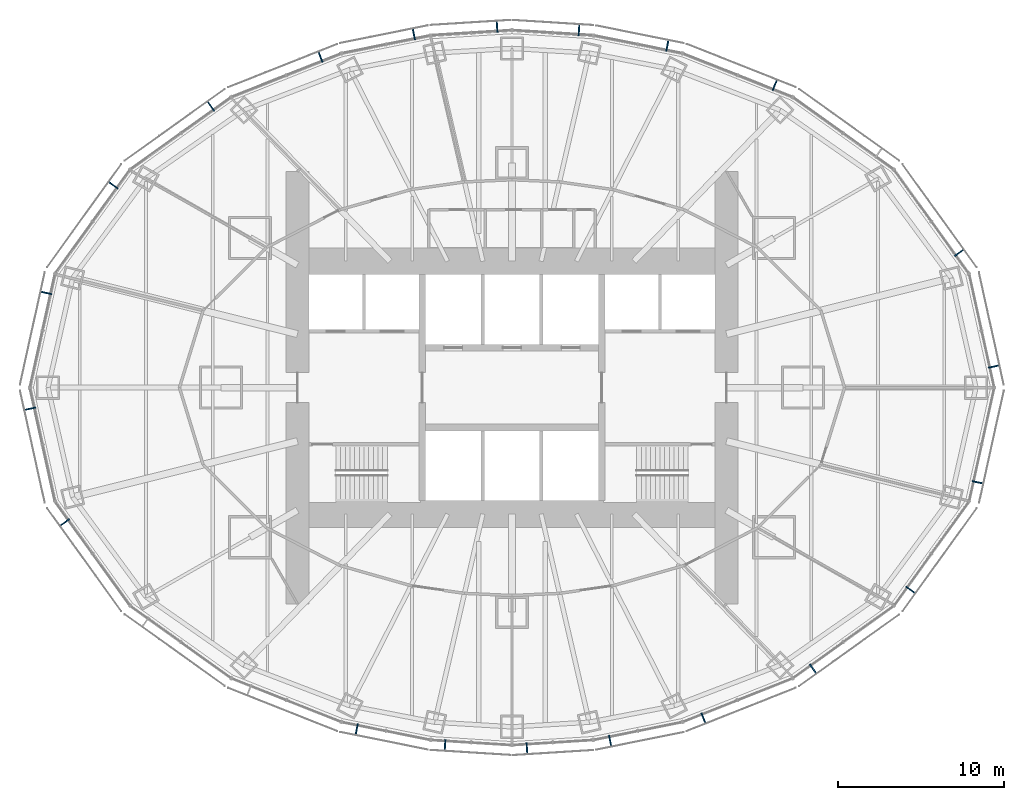
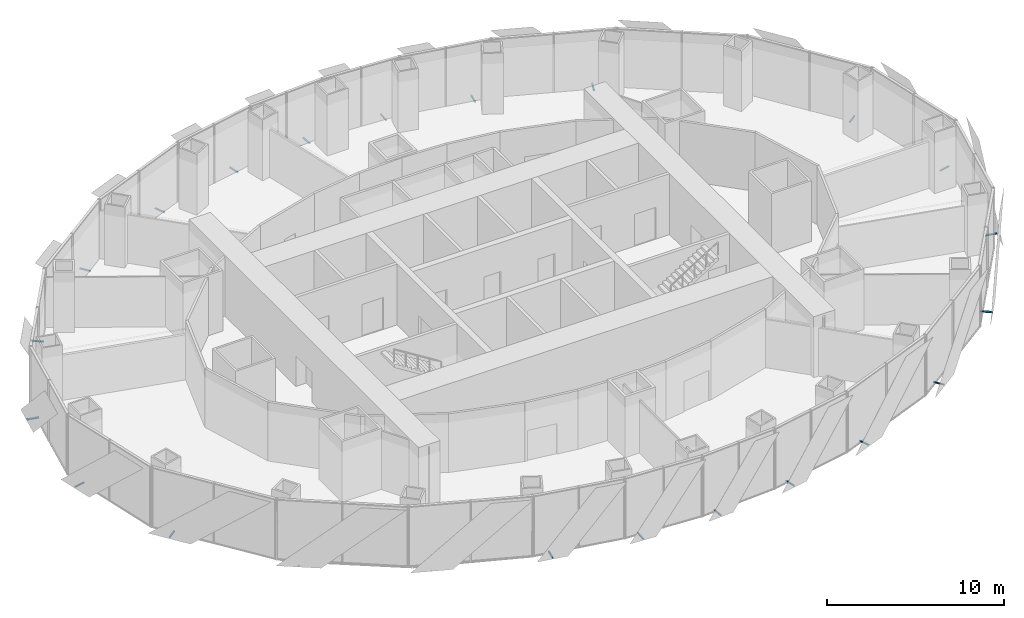
# One storey, part 14 of 18: 21 discrete accessories.
"""IFC4 building model written with IfcOpenShell, lengths in metres."""

import ifcopenshell
import ifcopenshell.guid

model = None  # the IFC model being written
_history = None  # IfcOwnerHistory: only IFC2X3 demands one
_inside = {}  # id of a spatial element -> (the spatial element, [elements in it])
_under = {}  # id of a project, library or spatial element -> (it, [spatial elements below it])
_declared = {}  # id of a project -> (the project, [libraries it declares])
_typed = {}  # id of a type object -> (the type object, [elements of that type])
_made_of = {}  # id of a material, layer set ... -> (it, [elements and type objects made of it])


def new_model(schema):
    """Start an empty IFC model of exactly this schema.

    Asked for "IFC4X3", IfcOpenShell would pick the latest addendum, in which some entities
    have other attributes; the version numbers below select the first issue.
    IFC2X3 requires an IfcOwnerHistory on every rooted entity: one is made here for all.
    """
    global model, _history
    if schema == "IFC4X3":
        model = ifcopenshell.file(schema_version=(4, 3, 0, 0))
    else:
        model = ifcopenshell.file(schema=schema)
    _inside.clear()
    _under.clear()
    _declared.clear()
    _typed.clear()
    _made_of.clear()
    _history = None
    if model.schema == "IFC2X3":
        org = make("IfcOrganization", Name="unknown")
        user = make(
            "IfcPersonAndOrganization",
            ThePerson=make("IfcPerson", FamilyName="unknown"),
            TheOrganization=org,
        )
        app = make(
            "IfcApplication",
            ApplicationDeveloper=org,
            Version="unknown",
            ApplicationFullName="unknown",
            ApplicationIdentifier="unknown",
        )
        _history = make(
            "IfcOwnerHistory",
            OwningUser=user,
            OwningApplication=app,
            ChangeAction="ADDED",
            CreationDate=0,
        )
    return model


def make(cls, **values):
    """One entity of the class cls with the attributes given. An attribute that is None is left unset."""
    return model.create_entity(
        cls, **{name: value for name, value in values.items() if value is not None}
    )


def rooted(cls, **values):
    """An entity with a GlobalId (a new one), such as an element, a storey or a relation."""
    return make(cls, GlobalId=ifcopenshell.guid.new(), OwnerHistory=_history, **values)


def si_unit(unit_type, name, prefix=None):
    """IfcSIUnit, for example si_unit("LENGTHUNIT", "METRE", prefix="MILLI")."""
    return make("IfcSIUnit", UnitType=unit_type, Prefix=prefix, Name=name)


def assignment(units):
    """IfcUnitAssignment: the units of a project."""
    return None if units is None else make("IfcUnitAssignment", Units=units)


def point(xyz):
    """IfcCartesianPoint."""
    return None if xyz is None else make("IfcCartesianPoint", Coordinates=xyz)


def direction(xyz):
    """IfcDirection."""
    return None if xyz is None else make("IfcDirection", DirectionRatios=xyz)


def frame(location, z_axis=None, x_axis=None):
    """IfcAxis2Placement3D, a coordinate frame: its origin and axes. An axis left out is left unset."""
    return make(
        "IfcAxis2Placement3D",
        Location=point(location),
        Axis=direction(z_axis),
        RefDirection=direction(x_axis),
    )


def frame_2d(location, x_axis=None):
    """IfcAxis2Placement2D, a coordinate frame in the plane: its origin and x axis."""
    return make(
        "IfcAxis2Placement2D", Location=point(location), RefDirection=direction(x_axis)
    )


def origin():
    """The frame at (0, 0, 0) with its axes left unset."""
    return frame((0.0, 0.0, 0.0))


def origin_2d():
    """The frame at (0, 0) in the plane with its x axis left unset."""
    return frame_2d((0.0, 0.0))


def place(relative_to, where):
    """IfcLocalPlacement: puts the frame where relative to a parent placement (None: the world)."""
    return make(
        "IfcLocalPlacement", PlacementRelTo=relative_to, RelativePlacement=where
    )


def context(
    kind, dimensions, precision=None, world=None, true_north=None, identifier=None
):
    """IfcGeometricRepresentationContext, for example the 3D "Model" context."""
    return make(
        "IfcGeometricRepresentationContext",
        ContextIdentifier=identifier,
        ContextType=kind,
        CoordinateSpaceDimension=dimensions,
        Precision=precision,
        WorldCoordinateSystem=world,
        TrueNorth=true_north,
    )


def subcontext(parent, identifier, kind, view, scale=None):
    """IfcGeometricRepresentationSubContext, for example "Body" below "Model"."""
    return make(
        "IfcGeometricRepresentationSubContext",
        ContextIdentifier=identifier,
        ContextType=kind,
        ParentContext=parent,
        TargetScale=scale,
        TargetView=view,
    )


def project(units=None, contexts=None):
    """IfcProject with its units and contexts."""
    return rooted(
        "IfcProject",
        Name="project",
        RepresentationContexts=contexts,
        UnitsInContext=assignment(units),
    )


def spatial(cls, under=None, at=None, **own):
    """A site, building, storey or space (cls), placed at a placement, below another one or the project."""
    s = rooted(cls, ObjectPlacement=at, **own)
    if under is not None:
        _under.setdefault(under.id(), (under, []))[1].append(s)
    return s


def profile(cls, at=None, kind="AREA", **sizes):
    """A parametric profile (cls). Its sizes go by their IFC names, for example OverallWidth=200.0."""
    return make(cls, ProfileType=kind, Position=at, **sizes)


def rectangle(**sizes):
    """IfcRectangleProfileDef."""
    return profile("IfcRectangleProfileDef", **sizes)


def extrude(swept, where, along, depth):
    """IfcExtrudedAreaSolid: the profile swept, set in the frame where, extruded along a direction by depth."""
    return make(
        "IfcExtrudedAreaSolid",
        SweptArea=swept,
        Position=where,
        ExtrudedDirection=direction(along),
        Depth=depth,
    )


def shape(context_of_items, identifier, shape_type, items):
    """IfcShapeRepresentation: the items that make up one representation, for example the "Body"."""
    return make(
        "IfcShapeRepresentation",
        ContextOfItems=context_of_items,
        RepresentationIdentifier=identifier,
        RepresentationType=shape_type,
        Items=items,
    )


def made_of(thing, what):
    """Note that an element or type object is made of a material, layer set ...; save() writes the relation."""
    if what is not None:
        _made_of.setdefault(what.id(), (what, []))[1].append(thing)
    return thing


def element(
    cls,
    number,
    at=None,
    inside=None,
    cuts=None,
    type_object=None,
    material=None,
    context=None,
    identifier="Body",
    shape_type=None,
    held_by="IfcProductDefinitionShape",
    body=None,
    shapes=None,
    **own,
):
    """One element of the class cls, such as IfcWall. Its Tag is "e" and its number.

    at: its placement. inside: the storey or other place that contains it. cuts: it is an
    opening in that element (IfcRelVoidsElement). A single representation is given by context,
    identifier, shape_type and body (its items); several are given by shapes. held_by: the class
    of the entity that holds the representations. save() writes the other relations.
    """
    e = rooted(cls, Tag="e%d" % number, ObjectPlacement=at, **own)
    if body is not None:
        shapes = [shape(context, identifier, shape_type, body)]
    if shapes is not None:
        e.Representation = make(held_by, Representations=shapes)
    if inside is not None:
        _inside.setdefault(inside.id(), (inside, []))[1].append(e)
    if cuts is not None:
        rooted(
            "IfcRelVoidsElement", RelatingBuildingElement=cuts, RelatedOpeningElement=e
        )
    if type_object is not None:
        _typed.setdefault(type_object.id(), (type_object, []))[1].append(e)
    return made_of(e, material)


def aggregate(whole, parts):
    """IfcRelAggregates: a whole, such as a stair, and the parts it consists of."""
    return rooted("IfcRelAggregates", RelatingObject=whole, RelatedObjects=parts)


def save(model, path):
    """Write the relations noted so far, then the file.

    IfcRelAggregates (storeys below a building ...), IfcRelContainedInSpatialStructure (elements
    in a storey), IfcRelDefinesByType, IfcRelAssociatesMaterial and IfcRelDeclares: one each for
    every whole, place, type object, material and project.
    """
    for whole, parts in _under.values():
        aggregate(whole, parts)
    for where, things in _inside.values():
        rooted(
            "IfcRelContainedInSpatialStructure",
            RelatedElements=things,
            RelatingStructure=where,
        )
    for kind, things in _typed.values():
        rooted("IfcRelDefinesByType", RelatedObjects=things, RelatingType=kind)
    for what, things in _made_of.values():
        rooted("IfcRelAssociatesMaterial", RelatedObjects=things, RelatingMaterial=what)
    for by, libraries in _declared.values():
        rooted("IfcRelDeclares", RelatingContext=by, RelatedDefinitions=libraries)
    model.write(path)


model = new_model("IFC4")

# Units and contexts
model_context = context("Model", 3, precision=1e-05, world=origin(), true_north=direction((0.0, 1.0)))
body_context = subcontext(model_context, "Body", "Model", "MODEL_VIEW")
ifc_project = project(units=[si_unit("LENGTHUNIT", "METRE"), si_unit("AREAUNIT", "SQUARE_METRE"), si_unit("VOLUMEUNIT", "CUBIC_METRE"), si_unit("PLANEANGLEUNIT", "RADIAN"), si_unit("MASSUNIT", "GRAM", prefix="KILO")], contexts=[model_context])

# Site, building, storey
site_placement = place(None, origin())
site = spatial("IfcSite", under=ifc_project, at=site_placement, CompositionType="ELEMENT")
building_placement = place(site_placement, origin())
building = spatial("IfcBuilding", under=site, at=building_placement, Name="Lantaw Convention Tower", CompositionType="ELEMENT")
storey_placement = place(building_placement, frame((0.0, 0.0, 130.0)))
storey = spatial("IfcBuildingStorey", under=building, at=storey_placement, Name="L30", CompositionType="ELEMENT", Elevation=130.0)

# Discrete accessories
for number, where, z_axis, x_axis, name in (
    (1, (28.98486328125, 1.269775390625, -0.114990234375), (0.0, 0.0, 1.0), (-0.215546166174, 0.9764936509, 0.0), "Screen bracket"),
    (2, (26.900146484375, 8.111572265625, -0.114990234375), (0.0, 0.0, 1.0), (-0.584512597221, 0.811384633629, 0.0), "Screen bracket"),
    (3, (15.802978515625, 18.18798828125, -0.114990234375), (0.0, 0.0, 1.0), (-0.929547687544, 0.368701907483, 0.0), "Screen bracket"),
    (4, (9.339599609375, 20.56005859375, -0.114990234375), (0.0, 0.0, 1.0), (-0.980301514912, 0.197506809659, 0.0), "Screen bracket"),
    (5, (4.027099609375, 21.505859375, -0.114990234375), (0.0, 0.0, 1.0), (-0.998022035978, 0.062865059466, 0.0), "Screen bracket"),
    (6, (-0.89794921875, 21.702880859375, -0.114990234375), (0.0, 0.0, 1.0), (-0.998022035978, -0.062865059466, 0.0), "Screen bracket"),
    (7, (-5.903076171875, 21.25244140625, -0.114990234375), (0.0, 0.0, 1.0), (-0.980301514912, -0.197506809659, 0.0), "Screen bracket"),
    (8, (-11.517822265625, 19.887939453125, -0.114990234375), (0.0, 0.0, 1.0), (-0.929547687544, -0.368701907483, 0.0), "Screen bracket"),
    (9, (-18.10791015625, 16.922607421875, -0.114990234375), (0.0, 0.0, 1.0), (-0.813208325995, -0.581972695693, 0.0), "Screen bracket"),
    (10, (-23.9765625, 12.169677734375, -0.114990234375), (0.0, 0.0, 1.0), (-0.584512597221, -0.811384633629, 0.0), "Screen bracket"),
    (11, (-28.008056640625, 5.6953125, -0.114990234375), (0.0, 0.0, 1.0), (-0.215546166174, -0.9764936509, 0.0), "Screen bracket"),
    (12, (-28.98486328125, -1.269775390625, -0.114990234375), (0.0, 0.0, 1.0), (0.215546166174, -0.9764936509, 0.0), "Screen bracket"),
    (13, (-26.900146484375, -8.111572265625, -0.114990234375), (0.0, 0.0, 1.0), (0.584512597221, -0.811384633629, 0.0), "Screen bracket"),
    (14, (-9.339599609375, -20.56005859375, -0.114990234375), (0.0, 0.0, 1.0), (0.980301514912, -0.197506809659, 0.0), "Screen bracket"),
    (15, (-4.027099609375, -21.505859375, -0.114990234375), (0.0, 0.0, 1.0), (0.998022035978, -0.062865059466, 0.0), "Screen bracket"),
    (16, (0.89794921875, -21.702880859375, -0.114990234375), (0.0, 0.0, 1.0), (0.998022035978, 0.062865059466, 0.0), "Screen bracket"),
    (17, (5.903076171875, -21.25244140625, -0.114990234375), (0.0, 0.0, 1.0), (0.980301514912, 0.197506809659, 0.0), "Screen bracket"),
    (18, (11.517822265625, -19.887939453125, -0.114990234375), (0.0, 0.0, 1.0), (0.929547687544, 0.368701907483, 0.0), "Screen bracket"),
    (19, (18.10791015625, -16.922607421875, -0.114990234375), (0.0, 0.0, 1.0), (0.813208325995, 0.581972695693, 0.0), "Screen bracket"),
    (20, (23.9765625, -12.169677734375, -0.114990234375), (0.0, 0.0, 1.0), (0.584512597221, 0.811384633629, 0.0), "Screen bracket"),
    (21, (28.008056640625, -5.6953125, -0.114990234375), (0.0, 0.0, 1.0), (0.215546166174, 0.9764936509, 0.0), "Screen bracket"),
):
    element("IfcDiscreteAccessory", number, at=place(storey_placement, frame(where, z_axis=z_axis, x_axis=x_axis)), inside=storey, Name=name, PredefinedType="BRACKET", context=body_context, shape_type="SweptSolid", body=[
        extrude(rectangle(XDim=0.080078125, YDim=0.68798828125, at=origin_2d()), origin(), (0.0, 0.0, 1.0), 0.080078125),
    ])

save(model, "model.ifc")
